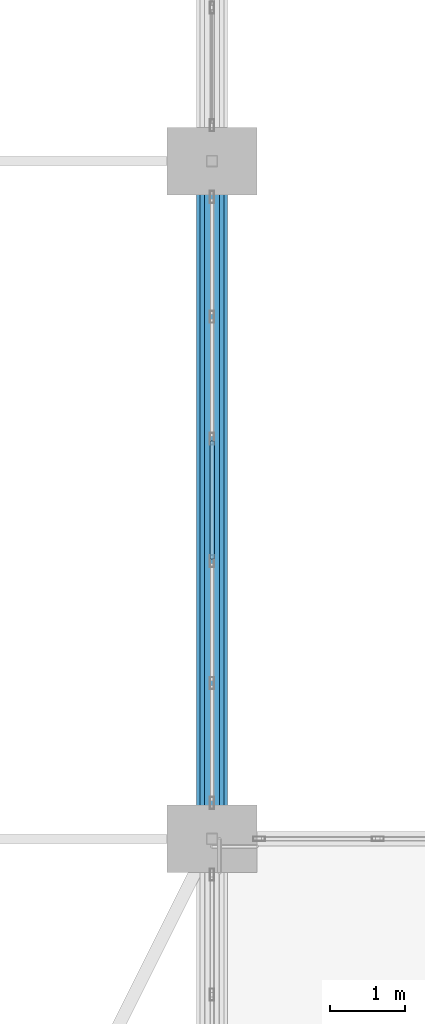
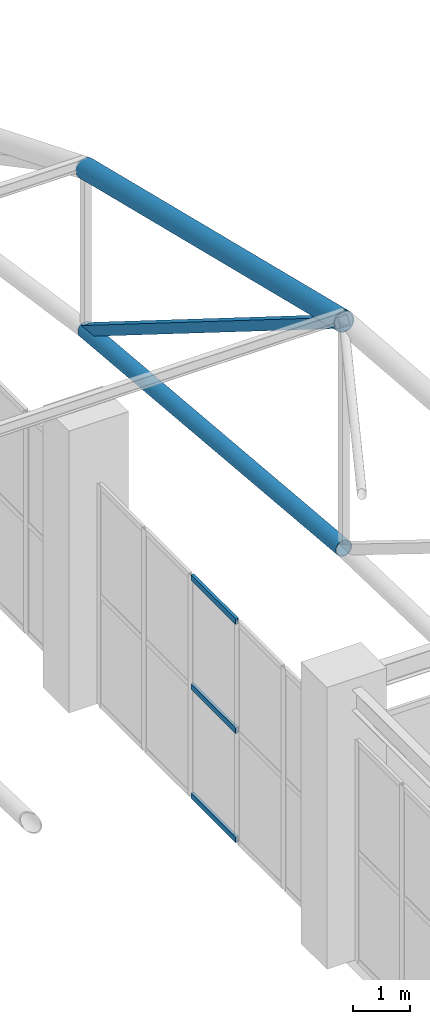
# One storey, part 153 of 223: 6 members, 1 element without a shape of its own.
"""IFC4 building model written with IfcOpenShell, lengths in metres."""

from ifc_helpers import new_model, si_unit, direction, frame, origin, origin_2d, place, context, subcontext, project, spatial, hollow_rectangle, hollow_circle, extrude, material, layer, layer_set, material_profile, profile_set, type_object, element, aggregate, save


model = new_model("IFC4")

# Units and contexts
model_context = context("Model", 3, precision=1e-05, world=origin(), true_north=direction((0.0, 1.0)))
body_context = subcontext(model_context, "Body", "Model", "MODEL_VIEW")
ifc_project = project(units=[si_unit("LENGTHUNIT", "METRE"), si_unit("AREAUNIT", "SQUARE_METRE"), si_unit("VOLUMEUNIT", "CUBIC_METRE"), si_unit("PLANEANGLEUNIT", "RADIAN"), si_unit("MASSUNIT", "GRAM", prefix="KILO")], contexts=[model_context])

# Site, building, storey
site_placement = place(None, origin())
site = spatial("IfcSite", under=ifc_project, at=site_placement, CompositionType="ELEMENT")
building_placement = place(site_placement, origin())
building = spatial("IfcBuilding", under=site, at=building_placement, Name="Dornveld Trade and Exhibition Forum", CompositionType="ELEMENT")
storey_placement = place(building_placement, frame((0.0, 0.0, 6.0)))
storey = spatial("IfcBuildingStorey", under=building, at=storey_placement, Name="L01", CompositionType="ELEMENT", Elevation=6.0)

# Curtain wall, members
ifc_material_1 = material(Name="Dark-bronze anodised aluminium and low-E glass", Category="aluminium")
ifc_layer = layer(ifc_material_1, 0.18701171875)
ifc_layer_set = layer_set([ifc_layer], Name="Dark-bronze anodised aluminium and low-E glass")
curtain_wall_type = type_object("IfcCurtainWallType", Name="CW-SYS-15", PredefinedType="USERDEFINED", material=ifc_layer_set)
curtain_wall_placement = place(storey_placement, origin())
curtain_wall = element("IfcCurtainWall", 1, at=curtain_wall_placement, inside=storey, type_object=curtain_wall_type, Name="L01 unitised curtain wall 15", ObjectType="UNITISED_CURTAIN_WALL", PredefinedType="USERDEFINED")
ifc_material_2 = material(Name="Dark-bronze anodised aluminium", Category="aluminium")
ifc_material_profile_1 = material_profile(ifc_material_2, hollow_rectangle(XDim=0.06005859375, YDim=0.1201171875, WallThickness=0.00390625, at=origin_2d()), Name="RHS 120x60x4")
ifc_profile_set_1 = profile_set([ifc_material_profile_1], Name="Dark-bronze anodised aluminium")
member_type_1 = type_object("IfcMemberType", Name="CW-TRN-120", PredefinedType="USERDEFINED", material=ifc_profile_set_1)
member_1_placement = place(storey_placement, frame((171.0, 147.71923828125, 0.02587890625), z_axis=(0.0, 1.0, 0.0), x_axis=(-1.0, 0.0, 0.0)))
member_1 = element("IfcMember", 2, at=member_1_placement, type_object=member_type_1, Name="CW-15 transom 3.1", ObjectType="TRANSOM", PredefinedType="USERDEFINED", context=body_context, shape_type="SweptSolid", body=[
    extrude(hollow_rectangle(XDim=0.06005859375, YDim=0.1201171875, WallThickness=0.00390625, at=origin_2d()), origin(), (0.0, 0.0, 1.0), 1.5615234375),
])
member_2_placement = place(storey_placement, frame((171.0, 147.71923828125, 2.347900390625), z_axis=(0.0, 1.0, 0.0), x_axis=(-1.0, 0.0, 0.0)))
member_2 = element("IfcMember", 3, at=member_2_placement, type_object=member_type_1, Name="CW-15 transom 3.2", ObjectType="TRANSOM", PredefinedType="USERDEFINED", context=body_context, shape_type="SweptSolid", body=[
    extrude(hollow_rectangle(XDim=0.06005859375, YDim=0.1201171875, WallThickness=0.00390625, at=origin_2d()), origin(), (0.0, 0.0, 1.0), 1.5615234375),
])
member_3_placement = place(storey_placement, frame((171.0, 147.71923828125, 4.669921875), z_axis=(0.0, 1.0, 0.0), x_axis=(-1.0, 0.0, 0.0)))
member_3 = element("IfcMember", 4, at=member_3_placement, type_object=member_type_1, Name="CW-15 transom 3.3", ObjectType="TRANSOM", PredefinedType="USERDEFINED", context=body_context, shape_type="SweptSolid", body=[
    extrude(hollow_rectangle(XDim=0.06005859375, YDim=0.1201171875, WallThickness=0.00390625, at=origin_2d()), origin(), (0.0, 0.0, 1.0), 1.5615234375),
])
aggregate(curtain_wall, [member_1, member_2, member_3])

# Members
ifc_material_3 = material(Name="Steel S355J2", Category="steel")
ifc_material_profile_2 = material_profile(ifc_material_3, hollow_circle(Radius=0.161865234375, WallThickness=0.01611328125, at=origin_2d()), Name="CHS 323.9x16")
ifc_profile_set_2 = profile_set([ifc_material_profile_2], Name="Steel S355J2")
member_type_2 = type_object("IfcMemberType", Name="MEM-ARCH-BC", PredefinedType="CHORD", material=ifc_profile_set_2)
member_4_placement = place(storey_placement, frame((171.0, 144.0, 8.4833984375), z_axis=(0.0, 0.996072164085, -0.088545151956), x_axis=(-1.0, 0.0, 0.0)))
element("IfcMember", 5, at=member_4_placement, inside=storey, type_object=member_type_2, Name="H1 truss 9 tie chord 5", PredefinedType="CHORD", context=body_context, shape_type="SweptSolid", body=[
    extrude(hollow_circle(Radius=0.161865234375, WallThickness=0.01611328125, at=origin_2d()), origin(), (0.0, 0.0, 1.0), 9.035400390625),
])
ifc_material_4 = material(Name="Steel S355J2", Category="steel")
ifc_material_profile_3 = material_profile(ifc_material_4, hollow_circle(Radius=0.203125, WallThickness=0.02001953125, at=origin_2d()), Name="CHS 406.4x20")
ifc_profile_set_3 = profile_set([ifc_material_profile_3], Name="Steel S355J2")
member_type_3 = type_object("IfcMemberType", Name="MEM-ARCH-TC", PredefinedType="CHORD", material=ifc_profile_set_3)
member_5_placement = place(storey_placement, frame((171.0, 144.0, 13.316650390625), z_axis=(0.0, 0.971400222114, -0.237448117444), x_axis=(-1.0, 0.0, 0.0)))
element("IfcMember", 6, at=member_5_placement, inside=storey, type_object=member_type_3, Name="H1 truss 9 top chord 5", PredefinedType="CHORD", context=body_context, shape_type="SweptSolid", body=[
    extrude(hollow_circle(Radius=0.203125, WallThickness=0.02001953125, at=origin_2d()), origin(), (0.0, 0.0, 1.0), 9.264892578125),
])
ifc_material_5 = material(Name="Steel S355J2", Category="steel")
ifc_material_profile_4 = material_profile(ifc_material_5, hollow_rectangle(XDim=0.199951171875, YDim=0.199951171875, WallThickness=0.010009765625, at=origin_2d()), Name="SHS 200x200x10")
ifc_profile_set_4 = profile_set([ifc_material_profile_4], Name="Steel S355J2")
member_type_4 = type_object("IfcMemberType", Name="MEM-ARCH-WEB", PredefinedType="BRACE", material=ifc_profile_set_4)
member_6_placement = place(storey_placement, frame((171.0, 153.0, 7.683349609375), z_axis=(0.0, -0.847646750348, 0.530561011218), x_axis=(1.0, 0.0, 0.0)))
element("IfcMember", 7, at=member_6_placement, inside=storey, type_object=member_type_4, Name="H1 truss 9 web 5", PredefinedType="BRACE", context=body_context, shape_type="SweptSolid", body=[
    extrude(hollow_rectangle(XDim=0.199951171875, YDim=0.199951171875, WallThickness=0.010009765625, at=origin_2d()), origin(), (0.0, 0.0, 1.0), 10.61767578125),
])

save(model, "model.ifc")
